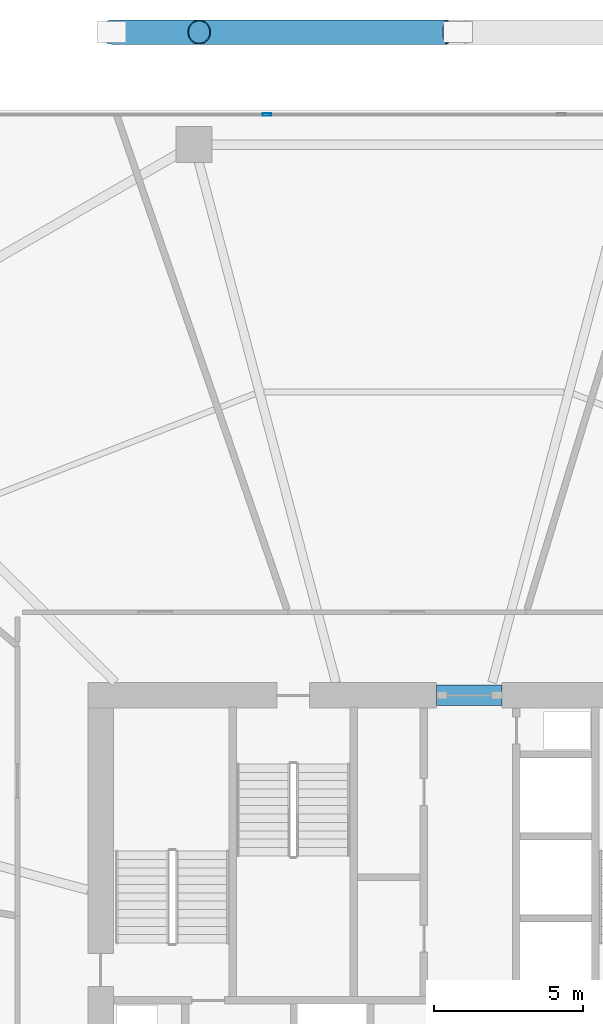
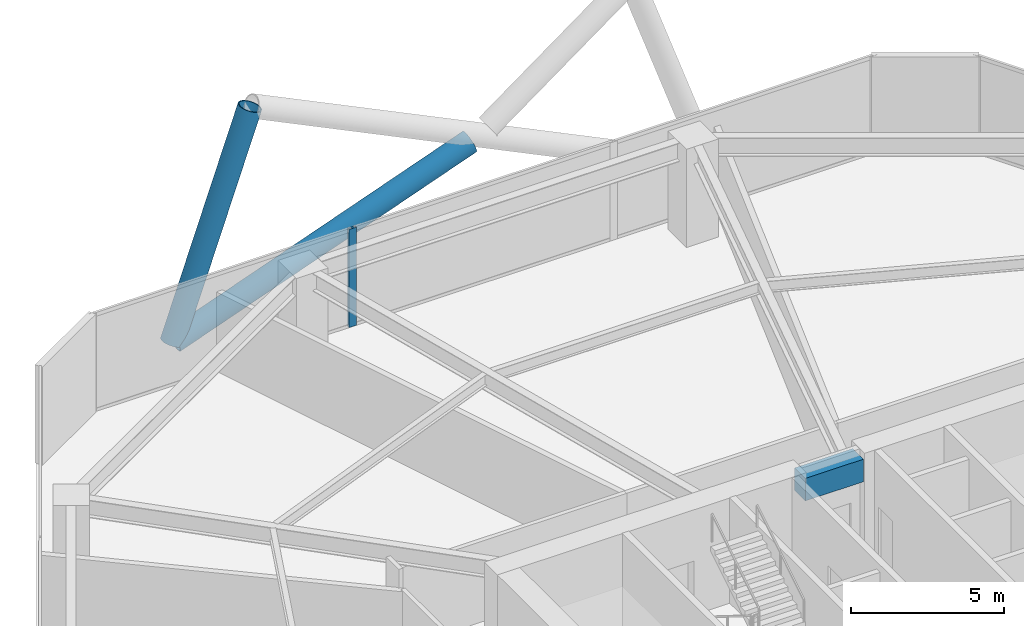
# One storey, part 18 of 29: 3 members, 1 beam, 1 element without a shape of its own.
"""IFC4 building model written with IfcOpenShell, lengths in metres."""

from ifc_helpers import new_model, si_unit, direction, frame, origin, origin_2d, place, context, subcontext, project, spatial, rectangle, hollow_rectangle, hollow_circle, extrude, material, material_profile, profile_set, type_object, element, aggregate, save


model = new_model("IFC4")

# Units and contexts
model_context = context("Model", 3, precision=1e-05, world=origin(), true_north=direction((0.0, 1.0)))
body_context = subcontext(model_context, "Body", "Model", "MODEL_VIEW")
ifc_project = project(units=[si_unit("LENGTHUNIT", "METRE"), si_unit("AREAUNIT", "SQUARE_METRE"), si_unit("VOLUMEUNIT", "CUBIC_METRE"), si_unit("PLANEANGLEUNIT", "RADIAN"), si_unit("MASSUNIT", "GRAM", prefix="KILO")], contexts=[model_context])

# Site, building, storey
site_placement = place(None, origin())
site = spatial("IfcSite", under=ifc_project, at=site_placement, CompositionType="ELEMENT")
building_placement = place(site_placement, origin())
building = spatial("IfcBuilding", under=site, at=building_placement, Name="Zuhravey Tower", CompositionType="ELEMENT")
storey_placement = place(building_placement, frame((0.0, 0.0, 41.39990234375)))
storey = spatial("IfcBuildingStorey", under=building, at=storey_placement, Name="L10", CompositionType="ELEMENT", Elevation=41.39990234375)

# Beam
ifc_material_1 = material(Name="Concrete C60/75", Category="concrete")
ifc_material_profile_1 = material_profile(ifc_material_1, rectangle(XDim=0.699951171875, YDim=0.89990234375, at=origin_2d()), Name="RC-700x900")
ifc_profile_set_1 = profile_set([ifc_material_profile_1], Name="Concrete C60/75")
beam_type = type_object("IfcBeamType", Name="Core Coupling Beam RC700x900", PredefinedType="LINTEL", material=ifc_profile_set_1)
beam_placement = place(storey_placement, frame((36.751953125, 41.5, 3.47021484375), z_axis=(1.0, 0.0, 0.0), x_axis=(0.0, 1.0, 0.0)))
element("IfcBeam", 1, at=beam_placement, inside=storey, type_object=beam_type, Name="L10 CB1 BM-L10-CB-N", PredefinedType="LINTEL", context=body_context, shape_type="SweptSolid", body=[
    extrude(rectangle(XDim=0.699951171875, YDim=0.89990234375, at=origin_2d()), origin(), (0.0, 0.0, 1.0), 2.196044921875),
])

# Curtain wall, member
ifc_material_2 = material(Name="Thermally broken anodised aluminium", Category="aluminium")
curtain_wall_type = type_object("IfcCurtainWallType", Name="School Low-E Unitised Curtain Wall CW1", PredefinedType="NOTDEFINED", material=ifc_material_2)
curtain_wall_placement = place(storey_placement, origin())
curtain_wall = element("IfcCurtainWall", 2, at=curtain_wall_placement, inside=storey, type_object=curtain_wall_type, Name="L10 CW1 CW-L10-F2-1", PredefinedType="NOTDEFINED")
ifc_material_3 = material(Name="Anodised aluminium", Category="aluminium")
ifc_material_profile_2 = material_profile(ifc_material_3, hollow_rectangle(XDim=0.090087890625, YDim=0.284912109375, WallThickness=0.0048828125, at=origin_2d()), Name="ALU-RHS-90x285x5")
ifc_profile_set_2 = profile_set([ifc_material_profile_2], Name="Anodised aluminium")
member_type_1 = type_object("IfcMemberType", Name="Curtain-Wall Mullion 90x180", PredefinedType="MULLION", material=ifc_profile_set_2)
member_1_placement = place(storey_placement, frame((31.06689453125, 60.95849609375, 0.0), z_axis=(0.0, 0.0, 1.0), x_axis=(0.0, 1.0, 0.0)))
member_1 = element("IfcMember", 3, at=member_1_placement, type_object=member_type_1, Name="CW1 mullion 2", PredefinedType="MULLION", context=body_context, shape_type="SweptSolid", body=[
    extrude(hollow_rectangle(XDim=0.090087890625, YDim=0.284912109375, WallThickness=0.0048828125, at=origin_2d()), origin(), (0.0, 0.0, 1.0), 3.920166015625),
])
aggregate(curtain_wall, [member_1])

# Members
ifc_material_4 = material(Name="Steel SM460", Category="steel")
ifc_material_profile_3 = material_profile(ifc_material_4, hollow_circle(Radius=0.406494140625, WallThickness=0.035888671875, at=origin_2d()), Name="CHS-812.8x36")
ifc_profile_set_3 = profile_set([ifc_material_profile_3], Name="Steel SM460")
member_type_2 = type_object("IfcMemberType", Name="Exoskeleton Zone 1 Diagrid CHS813x36", PredefinedType="BRACE", material=ifc_profile_set_3)
member_2_placement = place(storey_placement, frame((25.870849609375, 63.718505859375, -0.471923828125), z_axis=(0.330642732694, 0.0, 0.943755997764), x_axis=(0.0, 1.0, 0.0)))
element("IfcMember", 4, at=member_2_placement, inside=storey, type_object=member_type_2, Name="L10 Face 2 Diagrid Brace 4", PredefinedType="BRACE", context=body_context, shape_type="SweptSolid", body=[
    extrude(hollow_circle(Radius=0.406494140625, WallThickness=0.035888671875, at=origin_2d()), origin(), (0.0, 0.0, 1.0), 8.85400390625),
])
member_3_placement = place(storey_placement, frame((25.91064453125, 63.718505859375, -0.476806640625), z_axis=(0.940339213945, 0.0, 0.34023839101), x_axis=(0.0, 1.0, 0.0)))
element("IfcMember", 5, at=member_3_placement, inside=storey, type_object=member_type_2, Name="L10 Face 2 Split Diagrid Brace 3A", PredefinedType="BRACE", context=body_context, shape_type="SweptSolid", body=[
    extrude(hollow_circle(Radius=0.406494140625, WallThickness=0.035888671875, at=origin_2d()), origin(), (0.0, 0.0, 1.0), 11.897705078125),
])

save(model, "model.ifc")
